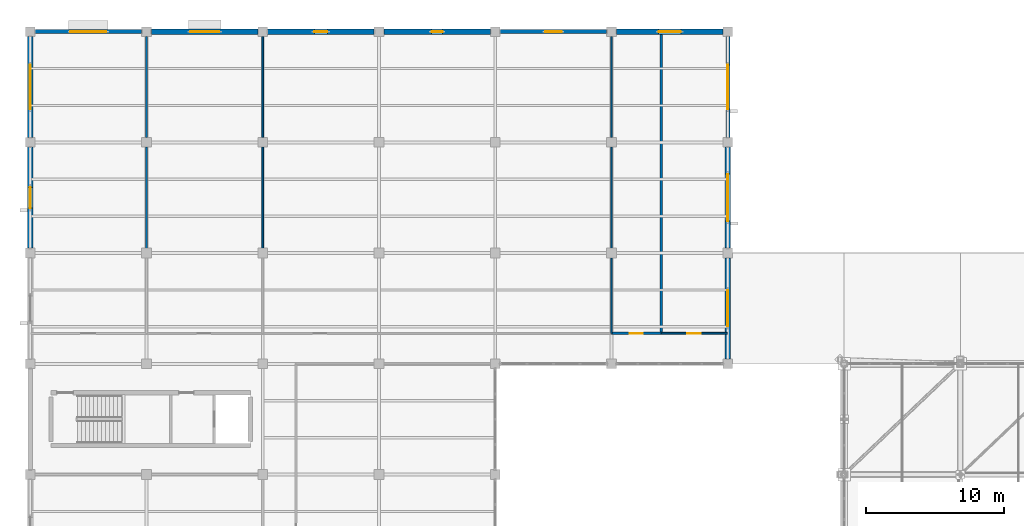
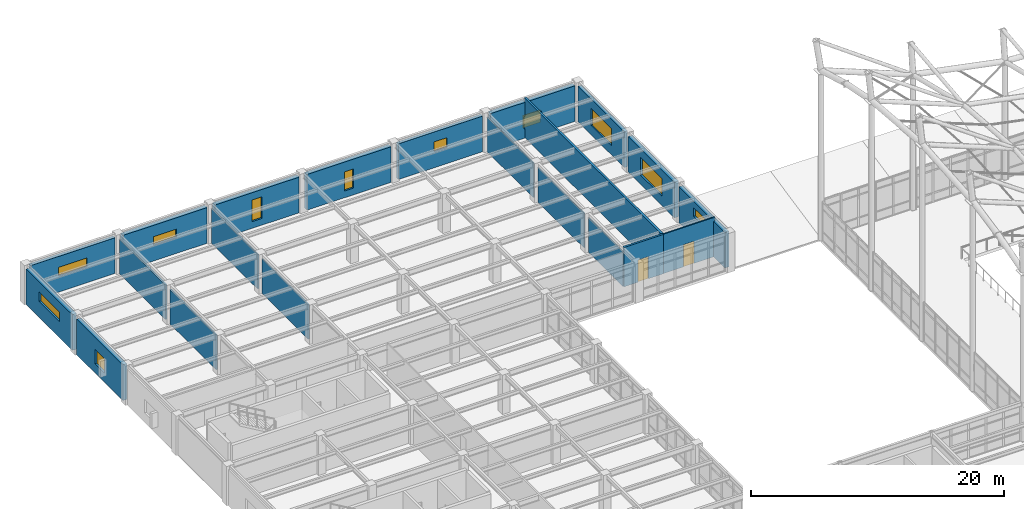
# One storey, part 75 of 138: 21 walls, 11 windows, 2 doors, 13 openings.
"""IFC4 building model written with IfcOpenShell, lengths in metres."""

import ifcopenshell
import ifcopenshell.guid

model = None  # the IFC model being written
_history = None  # IfcOwnerHistory: only IFC2X3 demands one
_inside = {}  # id of a spatial element -> (the spatial element, [elements in it])
_under = {}  # id of a project, library or spatial element -> (it, [spatial elements below it])
_declared = {}  # id of a project -> (the project, [libraries it declares])
_typed = {}  # id of a type object -> (the type object, [elements of that type])
_made_of = {}  # id of a material, layer set ... -> (it, [elements and type objects made of it])


def new_model(schema):
    """Start an empty IFC model of exactly this schema.

    Asked for "IFC4X3", IfcOpenShell would pick the latest addendum, in which some entities
    have other attributes; the version numbers below select the first issue.
    IFC2X3 requires an IfcOwnerHistory on every rooted entity: one is made here for all.
    """
    global model, _history
    if schema == "IFC4X3":
        model = ifcopenshell.file(schema_version=(4, 3, 0, 0))
    else:
        model = ifcopenshell.file(schema=schema)
    _inside.clear()
    _under.clear()
    _declared.clear()
    _typed.clear()
    _made_of.clear()
    _history = None
    if model.schema == "IFC2X3":
        org = make("IfcOrganization", Name="unknown")
        user = make(
            "IfcPersonAndOrganization",
            ThePerson=make("IfcPerson", FamilyName="unknown"),
            TheOrganization=org,
        )
        app = make(
            "IfcApplication",
            ApplicationDeveloper=org,
            Version="unknown",
            ApplicationFullName="unknown",
            ApplicationIdentifier="unknown",
        )
        _history = make(
            "IfcOwnerHistory",
            OwningUser=user,
            OwningApplication=app,
            ChangeAction="ADDED",
            CreationDate=0,
        )
    return model


def make(cls, **values):
    """One entity of the class cls with the attributes given. An attribute that is None is left unset."""
    return model.create_entity(
        cls, **{name: value for name, value in values.items() if value is not None}
    )


def rooted(cls, **values):
    """An entity with a GlobalId (a new one), such as an element, a storey or a relation."""
    return make(cls, GlobalId=ifcopenshell.guid.new(), OwnerHistory=_history, **values)


def si_unit(unit_type, name, prefix=None):
    """IfcSIUnit, for example si_unit("LENGTHUNIT", "METRE", prefix="MILLI")."""
    return make("IfcSIUnit", UnitType=unit_type, Prefix=prefix, Name=name)


def assignment(units):
    """IfcUnitAssignment: the units of a project."""
    return None if units is None else make("IfcUnitAssignment", Units=units)


def point(xyz):
    """IfcCartesianPoint."""
    return None if xyz is None else make("IfcCartesianPoint", Coordinates=xyz)


def direction(xyz):
    """IfcDirection."""
    return None if xyz is None else make("IfcDirection", DirectionRatios=xyz)


def frame(location, z_axis=None, x_axis=None):
    """IfcAxis2Placement3D, a coordinate frame: its origin and axes. An axis left out is left unset."""
    return make(
        "IfcAxis2Placement3D",
        Location=point(location),
        Axis=direction(z_axis),
        RefDirection=direction(x_axis),
    )


def frame_2d(location, x_axis=None):
    """IfcAxis2Placement2D, a coordinate frame in the plane: its origin and x axis."""
    return make(
        "IfcAxis2Placement2D", Location=point(location), RefDirection=direction(x_axis)
    )


def origin():
    """The frame at (0, 0, 0) with its axes left unset."""
    return frame((0.0, 0.0, 0.0))


def place(relative_to, where):
    """IfcLocalPlacement: puts the frame where relative to a parent placement (None: the world)."""
    return make(
        "IfcLocalPlacement", PlacementRelTo=relative_to, RelativePlacement=where
    )


def context(
    kind, dimensions, precision=None, world=None, true_north=None, identifier=None
):
    """IfcGeometricRepresentationContext, for example the 3D "Model" context."""
    return make(
        "IfcGeometricRepresentationContext",
        ContextIdentifier=identifier,
        ContextType=kind,
        CoordinateSpaceDimension=dimensions,
        Precision=precision,
        WorldCoordinateSystem=world,
        TrueNorth=true_north,
    )


def subcontext(parent, identifier, kind, view, scale=None):
    """IfcGeometricRepresentationSubContext, for example "Body" below "Model"."""
    return make(
        "IfcGeometricRepresentationSubContext",
        ContextIdentifier=identifier,
        ContextType=kind,
        ParentContext=parent,
        TargetScale=scale,
        TargetView=view,
    )


def project(units=None, contexts=None):
    """IfcProject with its units and contexts."""
    return rooted(
        "IfcProject",
        Name="project",
        RepresentationContexts=contexts,
        UnitsInContext=assignment(units),
    )


def spatial(cls, under=None, at=None, **own):
    """A site, building, storey or space (cls), placed at a placement, below another one or the project."""
    s = rooted(cls, ObjectPlacement=at, **own)
    if under is not None:
        _under.setdefault(under.id(), (under, []))[1].append(s)
    return s


def profile(cls, at=None, kind="AREA", **sizes):
    """A parametric profile (cls). Its sizes go by their IFC names, for example OverallWidth=200.0."""
    return make(cls, ProfileType=kind, Position=at, **sizes)


def rectangle(**sizes):
    """IfcRectangleProfileDef."""
    return profile("IfcRectangleProfileDef", **sizes)


def extrude(swept, where, along, depth):
    """IfcExtrudedAreaSolid: the profile swept, set in the frame where, extruded along a direction by depth."""
    return make(
        "IfcExtrudedAreaSolid",
        SweptArea=swept,
        Position=where,
        ExtrudedDirection=direction(along),
        Depth=depth,
    )


def shape(context_of_items, identifier, shape_type, items):
    """IfcShapeRepresentation: the items that make up one representation, for example the "Body"."""
    return make(
        "IfcShapeRepresentation",
        ContextOfItems=context_of_items,
        RepresentationIdentifier=identifier,
        RepresentationType=shape_type,
        Items=items,
    )


def material(Name=None, Category=None):
    """IfcMaterial."""
    return make("IfcMaterial", Name=Name, Category=Category)


def layer(
    of_material, thickness, ventilated=None, Name=None, Category=None, Priority=None
):
    """IfcMaterialLayer: one layer of a wall or slab, of a material (None: an air gap)."""
    return make(
        "IfcMaterialLayer",
        Material=of_material,
        LayerThickness=thickness,
        IsVentilated=ventilated,
        Name=Name,
        Category=Category,
        Priority=Priority,
    )


def layer_set(layers, Name=None):
    """IfcMaterialLayerSet."""
    return make("IfcMaterialLayerSet", MaterialLayers=layers, LayerSetName=Name)


def made_of(thing, what):
    """Note that an element or type object is made of a material, layer set ...; save() writes the relation."""
    if what is not None:
        _made_of.setdefault(what.id(), (what, []))[1].append(thing)
    return thing


def type_object(cls, material=None, **own):
    """A type object (cls), such as IfcWallType, which elements share."""
    return made_of(rooted(cls, **own), material)


def element(
    cls,
    number,
    at=None,
    inside=None,
    cuts=None,
    type_object=None,
    material=None,
    context=None,
    identifier="Body",
    shape_type=None,
    held_by="IfcProductDefinitionShape",
    body=None,
    shapes=None,
    **own,
):
    """One element of the class cls, such as IfcWall. Its Tag is "e" and its number.

    at: its placement. inside: the storey or other place that contains it. cuts: it is an
    opening in that element (IfcRelVoidsElement). A single representation is given by context,
    identifier, shape_type and body (its items); several are given by shapes. held_by: the class
    of the entity that holds the representations. save() writes the other relations.
    """
    e = rooted(cls, Tag="e%d" % number, ObjectPlacement=at, **own)
    if body is not None:
        shapes = [shape(context, identifier, shape_type, body)]
    if shapes is not None:
        e.Representation = make(held_by, Representations=shapes)
    if inside is not None:
        _inside.setdefault(inside.id(), (inside, []))[1].append(e)
    if cuts is not None:
        rooted(
            "IfcRelVoidsElement", RelatingBuildingElement=cuts, RelatedOpeningElement=e
        )
    if type_object is not None:
        _typed.setdefault(type_object.id(), (type_object, []))[1].append(e)
    return made_of(e, material)


def fill(opening, filler):
    """IfcRelFillsElement: the door or window that sits in an opening."""
    return rooted(
        "IfcRelFillsElement",
        RelatingOpeningElement=opening,
        RelatedBuildingElement=filler,
    )


def aggregate(whole, parts):
    """IfcRelAggregates: a whole, such as a stair, and the parts it consists of."""
    return rooted("IfcRelAggregates", RelatingObject=whole, RelatedObjects=parts)


def save(model, path):
    """Write the relations noted so far, then the file.

    IfcRelAggregates (storeys below a building ...), IfcRelContainedInSpatialStructure (elements
    in a storey), IfcRelDefinesByType, IfcRelAssociatesMaterial and IfcRelDeclares: one each for
    every whole, place, type object, material and project.
    """
    for whole, parts in _under.values():
        aggregate(whole, parts)
    for where, things in _inside.values():
        rooted(
            "IfcRelContainedInSpatialStructure",
            RelatedElements=things,
            RelatingStructure=where,
        )
    for kind, things in _typed.values():
        rooted("IfcRelDefinesByType", RelatedObjects=things, RelatingType=kind)
    for what, things in _made_of.values():
        rooted("IfcRelAssociatesMaterial", RelatedObjects=things, RelatingMaterial=what)
    for by, libraries in _declared.values():
        rooted("IfcRelDeclares", RelatingContext=by, RelatedDefinitions=libraries)
    model.write(path)


model = new_model("IFC4")

# Units and contexts
model_context = context("Model", 3, precision=1e-05, world=origin(), true_north=direction((0.0, 1.0)))
body_context = subcontext(model_context, "Body", "Model", "MODEL_VIEW")
ifc_project = project(units=[si_unit("LENGTHUNIT", "METRE"), si_unit("AREAUNIT", "SQUARE_METRE"), si_unit("VOLUMEUNIT", "CUBIC_METRE"), si_unit("PLANEANGLEUNIT", "RADIAN"), si_unit("MASSUNIT", "GRAM", prefix="KILO")], contexts=[model_context])

# Site, building, storey
site_placement = place(None, origin())
site = spatial("IfcSite", under=ifc_project, at=site_placement, CompositionType="ELEMENT")
building_placement = place(site_placement, origin())
building = spatial("IfcBuilding", under=site, at=building_placement, Name="Kranzveld Transit Interchange", CompositionType="ELEMENT")
storey_placement = place(building_placement, frame((0.0, 0.0, 5.43994140625)))
storey = spatial("IfcBuildingStorey", under=building, at=storey_placement, Name="L01", CompositionType="ELEMENT", Elevation=5.43994140625)

# Wall, opening, window
ifc_material_1 = material(Name="Pretoria red-purple clinker clay face brick, 35 MPa", Category="masonry")
ifc_layer_1 = layer(ifc_material_1, 0.3798828125)
ifc_layer_set_1 = layer_set([ifc_layer_1], Name="Pretoria red-purple clinker clay face brick, 35 MPa")
wall_type_1 = type_object("IfcWallType", Name="Exterior Cavity Wall Red Clinker 380", PredefinedType="SOLIDWALL", material=ifc_layer_set_1)
wall_1_placement = place(storey_placement, frame((0.0, 96.35009765625, 0.0), z_axis=(0.0, 0.0, 1.0), x_axis=(0.0, 1.0, 0.0)))
wall_1 = element("IfcWall", 1, at=wall_1_placement, inside=storey, type_object=wall_type_1, Name="L01 Clinker Facade Wall 01/N-01/P", PredefinedType="SOLIDWALL", context=body_context, shape_type="SweptSolid", body=[
    extrude(rectangle(XDim=7.2998046875, YDim=0.3798828125, at=frame_2d((3.64990234375, 0.0))), origin(), (0.0, 0.0, 1.0), 3.442138671875),
])
opening_1_placement = place(wall_1_placement, frame((2.89990234375, 0.0, 0.89990234375), z_axis=(0.0, 0.0, 1.0), x_axis=(1.0, 0.0, 0.0)))
opening_1 = element("IfcOpeningElement", 2, at=opening_1_placement, cuts=wall_1, Name="Opening W-13", PredefinedType="OPENING", context=body_context, shape_type="SweptSolid", body=[
    extrude(rectangle(XDim=1.5, YDim=1.39990234375, at=frame_2d((0.75, 0.699951171875))), frame((0.0, 0.199951171875, 0.0), z_axis=(0.0, -1.0, 0.0), x_axis=(1.0, 0.0, 0.0)), (0.0, 0.0, 1.0), 0.39990234375),
])
ifc_material_2 = material(Name="Solar-control double glazing", Category="glass")
window_type_1 = type_object("IfcWindowType", Name="Window Studio Single 1500x1400", PartitioningType="SINGLE_PANEL", PredefinedType="WINDOW", material=ifc_material_2)
window_1_placement = place(opening_1_placement, origin())
window_1 = element("IfcWindow", 3, at=window_1_placement, inside=storey, type_object=window_type_1, Name="L01 Facade Window 01/N", OverallHeight=1.39990234375, OverallWidth=1.5, PartitioningType="SINGLE_PANEL", PredefinedType="WINDOW", context=body_context, shape_type="SweptSolid", body=[
    extrude(rectangle(XDim=1.5, YDim=1.39990234375, at=frame_2d((0.75, 0.699951171875))), frame((0.0, 0.030029296875, 0.0), z_axis=(0.0, -1.0, 0.0), x_axis=(1.0, 0.0, 0.0)), (0.0, 0.0, 1.0), 0.06005859375),
])
fill(opening_1, window_1)

wall_2_placement = place(storey_placement, frame((0.0, 104.35009765625, 0.0), z_axis=(0.0, 0.0, 1.0), x_axis=(0.0, 1.0, 0.0)))
wall_2 = element("IfcWall", 4, at=wall_2_placement, inside=storey, type_object=wall_type_1, Name="L01 Clinker Facade Wall 01/P-01/Q", PredefinedType="SOLIDWALL", context=body_context, shape_type="SweptSolid", body=[
    extrude(rectangle(XDim=7.2998046875, YDim=0.3798828125, at=frame_2d((3.64990234375, 0.0))), origin(), (0.0, 0.0, 1.0), 3.442138671875),
])
opening_2_placement = place(wall_2_placement, frame((2.050048828125, 0.0, 1.550048828125), z_axis=(0.0, 0.0, 1.0), x_axis=(1.0, 0.0, 0.0)))
opening_2 = element("IfcOpeningElement", 5, at=opening_2_placement, cuts=wall_2, Name="Opening W-14", PredefinedType="OPENING", context=body_context, shape_type="SweptSolid", body=[
    extrude(rectangle(XDim=3.199951171875, YDim=0.89990234375, at=frame_2d((1.60009765625, 0.449951171875))), frame((0.0, 0.199951171875, 0.0), z_axis=(0.0, -1.0, 0.0), x_axis=(1.0, 0.0, 0.0)), (0.0, 0.0, 1.0), 0.39990234375),
])
ifc_material_3 = material(Name="Solar-control double glazing", Category="glass")
window_type_2 = type_object("IfcWindowType", Name="Window Clerestory 3200x900", PartitioningType="TRIPLE_PANEL_HORIZONTAL", PredefinedType="WINDOW", material=ifc_material_3)
window_2_placement = place(opening_2_placement, origin())
window_2 = element("IfcWindow", 6, at=window_2_placement, inside=storey, type_object=window_type_2, Name="L01 Facade Window 01/P", OverallHeight=0.89990234375, OverallWidth=3.199951171875, PartitioningType="TRIPLE_PANEL_HORIZONTAL", PredefinedType="WINDOW", context=body_context, shape_type="SweptSolid", body=[
    extrude(rectangle(XDim=3.199951171875, YDim=0.89990234375, at=frame_2d((1.60009765625, 0.449951171875))), frame((0.0, 0.030029296875, 0.0), z_axis=(0.0, -1.0, 0.0), x_axis=(1.0, 0.0, 0.0)), (0.0, 0.0, 1.0), 0.06005859375),
])
fill(opening_2, window_2)

wall_3_placement = place(storey_placement, frame((8.75, 112.0, 0.0), z_axis=(0.0, 0.0, 1.0), x_axis=(1.0, 0.0, 0.0)))
wall_3 = element("IfcWall", 7, at=wall_3_placement, inside=storey, type_object=wall_type_1, Name="L01 Clinker Facade Wall 02/Q-03/Q", PredefinedType="SOLIDWALL", context=body_context, shape_type="SweptSolid", body=[
    extrude(rectangle(XDim=7.699951171875, YDim=0.3798828125, at=frame_2d((3.85009765625, 0.0))), origin(), (0.0, 0.0, 1.0), 3.449951171875),
])
opening_3_placement = place(wall_3_placement, frame((2.800048828125, 0.0, 1.550048828125), z_axis=(0.0, 0.0, 1.0), x_axis=(1.0, 0.0, 0.0)))
opening_3 = element("IfcOpeningElement", 8, at=opening_3_placement, cuts=wall_3, Name="Opening W-16", PredefinedType="OPENING", context=body_context, shape_type="SweptSolid", body=[
    extrude(rectangle(XDim=2.10009765625, YDim=0.800048828125, at=frame_2d((1.050048828125, 0.39990234375))), frame((0.0, 0.199951171875, 0.0), z_axis=(0.0, -1.0, 0.0), x_axis=(1.0, 0.0, 0.0)), (0.0, 0.0, 1.0), 0.39990234375),
])
ifc_material_4 = material(Name="Solar-control double glazing", Category="glass")
window_type_3 = type_object("IfcWindowType", Name="Window Clerestory 2100x800", PartitioningType="DOUBLE_PANEL_HORIZONTAL", PredefinedType="WINDOW", material=ifc_material_4)
window_3_placement = place(opening_3_placement, origin())
window_3 = element("IfcWindow", 9, at=window_3_placement, inside=storey, type_object=window_type_3, Name="L01 Facade Window 02/Q", OverallHeight=0.800048828125, OverallWidth=2.10009765625, PartitioningType="DOUBLE_PANEL_HORIZONTAL", PredefinedType="WINDOW", context=body_context, shape_type="SweptSolid", body=[
    extrude(rectangle(XDim=2.10009765625, YDim=0.800048828125, at=frame_2d((1.050048828125, 0.39990234375))), frame((0.0, 0.030029296875, 0.0), z_axis=(0.0, -1.0, 0.0), x_axis=(1.0, 0.0, 0.0)), (0.0, 0.0, 1.0), 0.06005859375),
])
fill(opening_3, window_3)

wall_4_placement = place(storey_placement, frame((17.14990234375, 112.0, 0.0), z_axis=(0.0, 0.0, 1.0), x_axis=(1.0, 0.0, 0.0)))
wall_4 = element("IfcWall", 10, at=wall_4_placement, inside=storey, type_object=wall_type_1, Name="L01 Clinker Facade Wall 03/Q-04/Q", PredefinedType="SOLIDWALL", context=body_context, shape_type="SweptSolid", body=[
    extrude(rectangle(XDim=7.7001953125, YDim=0.3798828125, at=frame_2d((3.85009765625, 0.0))), origin(), (0.0, 0.0, 1.0), 3.449951171875),
])
opening_4_placement = place(wall_4_placement, frame((3.375, 0.0, 0.64990234375), z_axis=(0.0, 0.0, 1.0), x_axis=(1.0, 0.0, 0.0)))
opening_4 = element("IfcOpeningElement", 11, at=opening_4_placement, cuts=wall_4, Name="Opening W-17", PredefinedType="OPENING", context=body_context, shape_type="SweptSolid", body=[
    extrude(rectangle(XDim=0.949951171875, YDim=2.10009765625, at=frame_2d((0.47509765625, 1.050048828125))), frame((0.0, 0.199951171875, 0.0), z_axis=(0.0, -1.0, 0.0), x_axis=(1.0, 0.0, 0.0)), (0.0, 0.0, 1.0), 0.39990234375),
])
ifc_material_5 = material(Name="Solar-control double glazing", Category="glass")
window_type_4 = type_object("IfcWindowType", Name="Window Ladder Slot 950x2100", PartitioningType="SINGLE_PANEL", PredefinedType="WINDOW", material=ifc_material_5)
window_4_placement = place(opening_4_placement, origin())
window_4 = element("IfcWindow", 12, at=window_4_placement, inside=storey, type_object=window_type_4, Name="L01 Facade Window 03/Q", OverallHeight=2.10009765625, OverallWidth=0.949951171875, PartitioningType="SINGLE_PANEL", PredefinedType="WINDOW", context=body_context, shape_type="SweptSolid", body=[
    extrude(rectangle(XDim=0.949951171875, YDim=2.10009765625, at=frame_2d((0.47509765625, 1.050048828125))), frame((0.0, 0.030029296875, 0.0), z_axis=(0.0, -1.0, 0.0), x_axis=(1.0, 0.0, 0.0)), (0.0, 0.0, 1.0), 0.06005859375),
])
fill(opening_4, window_4)

wall_5_placement = place(storey_placement, frame((25.550048828125, 112.0, 0.0), z_axis=(0.0, 0.0, 1.0), x_axis=(1.0, 0.0, 0.0)))
wall_5 = element("IfcWall", 13, at=wall_5_placement, inside=storey, type_object=wall_type_1, Name="L01 Clinker Facade Wall 04/Q-05/Q", PredefinedType="SOLIDWALL", context=body_context, shape_type="SweptSolid", body=[
    extrude(rectangle(XDim=7.699951171875, YDim=0.3798828125, at=frame_2d((3.85009765625, 0.0))), origin(), (0.0, 0.0, 1.0), 3.449951171875),
])
opening_5_placement = place(wall_5_placement, frame((3.449951171875, 0.0, 0.64990234375), z_axis=(0.0, 0.0, 1.0), x_axis=(1.0, 0.0, 0.0)))
opening_5 = element("IfcOpeningElement", 14, at=opening_5_placement, cuts=wall_5, Name="Opening W-18", PredefinedType="OPENING", context=body_context, shape_type="SweptSolid", body=[
    extrude(rectangle(XDim=0.800048828125, YDim=1.85009765625, at=frame_2d((0.39990234375, 0.925048828125))), frame((0.0, 0.199951171875, 0.0), z_axis=(0.0, -1.0, 0.0), x_axis=(1.0, 0.0, 0.0)), (0.0, 0.0, 1.0), 0.39990234375),
])
ifc_material_6 = material(Name="Solar-control double glazing", Category="glass")
window_type_5 = type_object("IfcWindowType", Name="Window Ladder Slot 800x1850", PartitioningType="SINGLE_PANEL", PredefinedType="WINDOW", material=ifc_material_6)
window_5_placement = place(opening_5_placement, origin())
window_5 = element("IfcWindow", 15, at=window_5_placement, inside=storey, type_object=window_type_5, Name="L01 Facade Window 04/Q", OverallHeight=1.85009765625, OverallWidth=0.800048828125, PartitioningType="SINGLE_PANEL", PredefinedType="WINDOW", context=body_context, shape_type="SweptSolid", body=[
    extrude(rectangle(XDim=0.800048828125, YDim=1.85009765625, at=frame_2d((0.39990234375, 0.925048828125))), frame((0.0, 0.030029296875, 0.0), z_axis=(0.0, -1.0, 0.0), x_axis=(1.0, 0.0, 0.0)), (0.0, 0.0, 1.0), 0.06005859375),
])
fill(opening_5, window_5)

wall_6_placement = place(storey_placement, frame((42.35009765625, 112.0, 0.0), z_axis=(0.0, 0.0, 1.0), x_axis=(1.0, 0.0, 0.0)))
wall_6 = element("IfcWall", 16, at=wall_6_placement, inside=storey, type_object=wall_type_1, Name="L01 Clinker Facade Wall 06/Q-07/Q", PredefinedType="SOLIDWALL", context=body_context, shape_type="SweptSolid", body=[
    extrude(rectangle(XDim=7.699951171875, YDim=0.3798828125, at=frame_2d((3.85009765625, 0.0))), origin(), (0.0, 0.0, 1.0), 3.449951171875),
])
opening_6_placement = place(wall_6_placement, frame((3.050048828125, 0.0, 0.89990234375), z_axis=(0.0, 0.0, 1.0), x_axis=(1.0, 0.0, 0.0)))
opening_6 = element("IfcOpeningElement", 17, at=opening_6_placement, cuts=wall_6, Name="Opening W-20", PredefinedType="OPENING", context=body_context, shape_type="SweptSolid", body=[
    extrude(rectangle(XDim=1.60009765625, YDim=1.199951171875, at=frame_2d((0.800048828125, 0.60009765625))), frame((0.0, 0.199951171875, 0.0), z_axis=(0.0, -1.0, 0.0), x_axis=(1.0, 0.0, 0.0)), (0.0, 0.0, 1.0), 0.39990234375),
])
ifc_material_7 = material(Name="Solar-control double glazing", Category="glass")
window_type_6 = type_object("IfcWindowType", Name="Window Technical Glazed 1600x1200", PartitioningType="DOUBLE_PANEL_VERTICAL", PredefinedType="WINDOW", material=ifc_material_7)
window_6_placement = place(opening_6_placement, origin())
window_6 = element("IfcWindow", 18, at=window_6_placement, inside=storey, type_object=window_type_6, Name="L01 Facade Window 06/Q", OverallHeight=1.199951171875, OverallWidth=1.60009765625, PartitioningType="DOUBLE_PANEL_VERTICAL", PredefinedType="WINDOW", context=body_context, shape_type="SweptSolid", body=[
    extrude(rectangle(XDim=1.60009765625, YDim=1.199951171875, at=frame_2d((0.800048828125, 0.60009765625))), frame((0.0, 0.030029296875, 0.0), z_axis=(0.0, -1.0, 0.0), x_axis=(1.0, 0.0, 0.0)), (0.0, 0.0, 1.0), 0.06005859375),
])
fill(opening_6, window_6)

wall_7_placement = place(storey_placement, frame((50.39990234375, 88.35009765625, 0.0), z_axis=(0.0, 0.0, 1.0), x_axis=(0.0, 1.0, 0.0)))
wall_7 = element("IfcWall", 19, at=wall_7_placement, inside=storey, type_object=wall_type_1, Name="L01 Clinker Facade Wall 07/M-07/N", PredefinedType="SOLIDWALL", context=body_context, shape_type="SweptSolid", body=[
    extrude(rectangle(XDim=7.2998046875, YDim=0.3798828125, at=frame_2d((3.64990234375, 0.0))), origin(), (0.0, 0.0, 1.0), 3.442138671875),
])
opening_7_placement = place(wall_7_placement, frame((2.35009765625, 0.0, 2.0), z_axis=(0.0, 0.0, 1.0), x_axis=(1.0, 0.0, 0.0)))
opening_7 = element("IfcOpeningElement", 20, at=opening_7_placement, cuts=wall_7, Name="Opening W-15", PredefinedType="OPENING", context=body_context, shape_type="SweptSolid", body=[
    extrude(rectangle(XDim=2.60009765625, YDim=0.85009765625, at=frame_2d((1.300048828125, 0.425048828125))), frame((0.0, 0.199951171875, 0.0), z_axis=(0.0, -1.0, 0.0), x_axis=(1.0, 0.0, 0.0)), (0.0, 0.0, 1.0), 0.39990234375),
])
ifc_material_8 = material(Name="Solar-control double glazing", Category="glass")
window_type_7 = type_object("IfcWindowType", Name="Window Clerestory 2600x850", PartitioningType="DOUBLE_PANEL_HORIZONTAL", PredefinedType="WINDOW", material=ifc_material_8)
window_7_placement = place(opening_7_placement, origin())
window_7 = element("IfcWindow", 21, at=window_7_placement, inside=storey, type_object=window_type_7, Name="L01 Facade Window 07/M", OverallHeight=0.85009765625, OverallWidth=2.60009765625, PartitioningType="DOUBLE_PANEL_HORIZONTAL", PredefinedType="WINDOW", context=body_context, shape_type="SweptSolid", body=[
    extrude(rectangle(XDim=2.60009765625, YDim=0.85009765625, at=frame_2d((1.300048828125, 0.425048828125))), frame((0.0, 0.030029296875, 0.0), z_axis=(0.0, -1.0, 0.0), x_axis=(1.0, 0.0, 0.0)), (0.0, 0.0, 1.0), 0.06005859375),
])
fill(opening_7, window_7)

wall_8_placement = place(storey_placement, frame((50.39990234375, 96.35009765625, 0.0), z_axis=(0.0, 0.0, 1.0), x_axis=(0.0, 1.0, 0.0)))
wall_8 = element("IfcWall", 22, at=wall_8_placement, inside=storey, type_object=wall_type_1, Name="L01 Clinker Facade Wall 07/N-07/P", PredefinedType="SOLIDWALL", context=body_context, shape_type="SweptSolid", body=[
    extrude(rectangle(XDim=7.2998046875, YDim=0.3798828125, at=frame_2d((3.64990234375, 0.0))), origin(), (0.0, 0.0, 1.0), 3.442138671875),
])
opening_8_placement = place(wall_8_placement, frame((1.949951171875, 0.0, 0.89990234375), z_axis=(0.0, 0.0, 1.0), x_axis=(1.0, 0.0, 0.0)))
opening_8 = element("IfcOpeningElement", 23, at=opening_8_placement, cuts=wall_8, Name="Opening W-02", PredefinedType="OPENING", context=body_context, shape_type="SweptSolid", body=[
    extrude(rectangle(XDim=3.39990234375, YDim=1.699951171875, at=frame_2d((1.699951171875, 0.85009765625))), frame((0.0, 0.199951171875, 0.0), z_axis=(0.0, -1.0, 0.0), x_axis=(1.0, 0.0, 0.0)), (0.0, 0.0, 1.0), 0.39990234375),
])
ifc_material_9 = material(Name="Solar-control double glazing", Category="glass")
window_type_8 = type_object("IfcWindowType", Name="Window Ribbon Triple 3400x1700", PartitioningType="TRIPLE_PANEL_VERTICAL", PredefinedType="WINDOW", material=ifc_material_9)
window_8_placement = place(opening_8_placement, origin())
window_8 = element("IfcWindow", 24, at=window_8_placement, inside=storey, type_object=window_type_8, Name="L01 Facade Window 07/N", OverallHeight=1.699951171875, OverallWidth=3.39990234375, PartitioningType="TRIPLE_PANEL_VERTICAL", PredefinedType="WINDOW", context=body_context, shape_type="SweptSolid", body=[
    extrude(rectangle(XDim=3.39990234375, YDim=1.699951171875, at=frame_2d((1.699951171875, 0.85009765625))), frame((0.0, 0.030029296875, 0.0), z_axis=(0.0, -1.0, 0.0), x_axis=(1.0, 0.0, 0.0)), (0.0, 0.0, 1.0), 0.06005859375),
])
fill(opening_8, window_8)

ifc_material_10 = material(Name="Ochre Pretoria sandstone cladding, 45 MPa", Category="masonry")
ifc_layer_2 = layer(ifc_material_10, 0.300048828125)
ifc_layer_set_2 = layer_set([ifc_layer_2], Name="Ochre Pretoria sandstone cladding, 45 MPa")
wall_type_2 = type_object("IfcWallType", Name="Exterior Sandstone Spandrel Wall 300", PredefinedType="SOLIDWALL", material=ifc_layer_set_2)
wall_9_placement = place(storey_placement, frame((0.35009765625, 112.0, 0.0), z_axis=(0.0, 0.0, 1.0), x_axis=(1.0, 0.0, 0.0)))
wall_9 = element("IfcWall", 25, at=wall_9_placement, inside=storey, type_object=wall_type_2, Name="L01 Clinker Facade Wall 01/Q-02/Q", PredefinedType="SOLIDWALL", context=body_context, shape_type="SweptSolid", body=[
    extrude(rectangle(XDim=7.699951171875, YDim=0.300048828125, at=frame_2d((3.85009765625, 0.0))), origin(), (0.0, 0.0, 1.0), 3.449951171875),
])
opening_9_placement = place(wall_9_placement, frame((2.550048828125, 0.0, 1.550048828125), z_axis=(0.0, 0.0, 1.0), x_axis=(1.0, 0.0, 0.0)))
opening_9 = element("IfcOpeningElement", 26, at=opening_9_placement, cuts=wall_9, Name="Opening W-15", PredefinedType="OPENING", context=body_context, shape_type="SweptSolid", body=[
    extrude(rectangle(XDim=2.60009765625, YDim=0.85009765625, at=frame_2d((1.300048828125, 0.425048828125))), frame((0.0, 0.159912109375, 0.0), z_axis=(0.0, -1.0, 0.0), x_axis=(1.0, 0.0, 0.0)), (0.0, 0.0, 1.0), 0.320068359375),
])
window_9_placement = place(opening_9_placement, origin())
window_9 = element("IfcWindow", 27, at=window_9_placement, inside=storey, type_object=window_type_7, Name="L01 Facade Window 01/Q", OverallHeight=0.85009765625, OverallWidth=2.60009765625, PartitioningType="DOUBLE_PANEL_HORIZONTAL", PredefinedType="WINDOW", context=body_context, shape_type="SweptSolid", body=[
    extrude(rectangle(XDim=2.60009765625, YDim=0.85009765625, at=frame_2d((1.300048828125, 0.425048828125))), frame((0.0, 0.030029296875, 0.0), z_axis=(0.0, -1.0, 0.0), x_axis=(1.0, 0.0, 0.0)), (0.0, 0.0, 1.0), 0.06005859375),
])
fill(opening_9, window_9)

wall_10_placement = place(storey_placement, frame((33.949951171875, 112.0, 0.0), z_axis=(0.0, 0.0, 1.0), x_axis=(1.0, 0.0, 0.0)))
wall_10 = element("IfcWall", 28, at=wall_10_placement, inside=storey, type_object=wall_type_2, Name="L01 Clinker Facade Wall 05/Q-06/Q", PredefinedType="SOLIDWALL", context=body_context, shape_type="SweptSolid", body=[
    extrude(rectangle(XDim=7.699951171875, YDim=0.300048828125, at=frame_2d((3.85009765625, 0.0))), origin(), (0.0, 0.0, 1.0), 3.449951171875),
])
opening_10_placement = place(wall_10_placement, frame((3.25, 0.0, 1.550048828125), z_axis=(0.0, 0.0, 1.0), x_axis=(1.0, 0.0, 0.0)))
opening_10 = element("IfcOpeningElement", 29, at=opening_10_placement, cuts=wall_10, Name="Opening W-19", PredefinedType="OPENING", context=body_context, shape_type="SweptSolid", body=[
    extrude(rectangle(XDim=1.199951171875, YDim=0.949951171875, at=frame_2d((0.60009765625, 0.47509765625))), frame((0.0, 0.159912109375, 0.0), z_axis=(0.0, -1.0, 0.0), x_axis=(1.0, 0.0, 0.0)), (0.0, 0.0, 1.0), 0.320068359375),
])
ifc_material_11 = material(Name="Solar-control double glazing", Category="glass")
window_type_9 = type_object("IfcWindowType", Name="Window Sanitary Frosted 1200x950", PartitioningType="SINGLE_PANEL", PredefinedType="WINDOW", material=ifc_material_11)
window_10_placement = place(opening_10_placement, origin())
window_10 = element("IfcWindow", 30, at=window_10_placement, inside=storey, type_object=window_type_9, Name="L01 Facade Window 05/Q", OverallHeight=0.949951171875, OverallWidth=1.199951171875, PartitioningType="SINGLE_PANEL", PredefinedType="WINDOW", context=body_context, shape_type="SweptSolid", body=[
    extrude(rectangle(XDim=1.199951171875, YDim=0.949951171875, at=frame_2d((0.60009765625, 0.47509765625))), frame((0.0, 0.030029296875, 0.0), z_axis=(0.0, -1.0, 0.0), x_axis=(1.0, 0.0, 0.0)), (0.0, 0.0, 1.0), 0.06005859375),
])
fill(opening_10, window_10)

wall_11_placement = place(storey_placement, frame((50.39990234375, 104.35009765625, 0.0), z_axis=(0.0, 0.0, 1.0), x_axis=(0.0, 1.0, 0.0)))
wall_11 = element("IfcWall", 31, at=wall_11_placement, inside=storey, type_object=wall_type_2, Name="L01 Clinker Facade Wall 07/P-07/Q", PredefinedType="SOLIDWALL", context=body_context, shape_type="SweptSolid", body=[
    extrude(rectangle(XDim=7.2998046875, YDim=0.300048828125, at=frame_2d((3.64990234375, 0.0))), origin(), (0.0, 0.0, 1.0), 3.442138671875),
])
opening_11_placement = place(wall_11_placement, frame((2.050048828125, 0.0, 0.89990234375), z_axis=(0.0, 0.0, 1.0), x_axis=(1.0, 0.0, 0.0)))
opening_11 = element("IfcOpeningElement", 32, at=opening_11_placement, cuts=wall_11, Name="Opening W-03", PredefinedType="OPENING", context=body_context, shape_type="SweptSolid", body=[
    extrude(rectangle(XDim=3.199951171875, YDim=1.64990234375, at=frame_2d((1.60009765625, 0.824951171875))), frame((0.0, 0.159912109375, 0.0), z_axis=(0.0, -1.0, 0.0), x_axis=(1.0, 0.0, 0.0)), (0.0, 0.0, 1.0), 0.320068359375),
])
ifc_material_12 = material(Name="Solar-control double glazing", Category="glass")
window_type_10 = type_object("IfcWindowType", Name="Window Ribbon Triple 3200x1650", PartitioningType="TRIPLE_PANEL_VERTICAL", PredefinedType="WINDOW", material=ifc_material_12)
window_11_placement = place(opening_11_placement, origin())
window_11 = element("IfcWindow", 33, at=window_11_placement, inside=storey, type_object=window_type_10, Name="L01 Facade Window 07/P", OverallHeight=1.64990234375, OverallWidth=3.199951171875, PartitioningType="TRIPLE_PANEL_VERTICAL", PredefinedType="WINDOW", context=body_context, shape_type="SweptSolid", body=[
    extrude(rectangle(XDim=3.199951171875, YDim=1.64990234375, at=frame_2d((1.60009765625, 0.824951171875))), frame((0.0, 0.030029296875, 0.0), z_axis=(0.0, -1.0, 0.0), x_axis=(1.0, 0.0, 0.0)), (0.0, 0.0, 1.0), 0.06005859375),
])
fill(opening_11, window_11)

# Walls
ifc_material_13 = material(Name="Clay masonry unit wall, 20 MPa", Category="masonry")
ifc_layer_3 = layer(ifc_material_13, 0.14990234375)
ifc_layer_set_3 = layer_set([ifc_layer_3], Name="Clay masonry unit wall, 20 MPa")
wall_type_3 = type_object("IfcWallType", Name="Fire Rated Partition Wall 150 EI60", PredefinedType="PARTITIONING", material=ifc_layer_set_3)
for number, where, z_axis, x_axis, name in (
    (34, (8.39990234375, 96.340087890625, 0.0), (0.0, 0.0, 1.0), (0.0, 1.0, 0.0), "L01 Partition IW-L01-L01V5N-E-127-1"),
    (35, (8.39990234375, 104.340087890625, 0.0), (0.0, 0.0, 1.0), (0.0, 1.0, 0.0), "L01 Partition IW-L01-L01V5N-E-127-2"),
):
    element("IfcWall", number, at=place(storey_placement, frame(where, z_axis=z_axis, x_axis=x_axis)), inside=storey, type_object=wall_type_3, Name=name, PredefinedType="PARTITIONING", context=body_context, shape_type="SweptSolid", body=[
        extrude(rectangle(XDim=7.31982421875, YDim=0.14990234375, at=frame_2d((3.659912109375, 0.0))), origin(), (0.0, 0.0, 1.0), 3.336669921875),
    ])

# Wall, opening, door
ifc_material_14 = material(Name="Clay masonry unit wall, 20 MPa", Category="masonry")
ifc_layer_4 = layer(ifc_material_14, 0.125)
ifc_layer_set_4 = layer_set([ifc_layer_4], Name="Clay masonry unit wall, 20 MPa")
wall_type_4 = type_object("IfcWallType", Name="Internal Blockwork Partition 125", PredefinedType="PARTITIONING", material=ifc_layer_set_4)
wall_12_placement = place(storey_placement, frame((45.60009765625, 90.199951171875, 0.0), z_axis=(0.0, 0.0, 1.0), x_axis=(1.0, 0.0, 0.0)))
wall_12 = element("IfcWall", 36, at=wall_12_placement, inside=storey, type_object=wall_type_4, Name="L01 Partition IW-L01-L01V5NWC-ADJ-138-0", PredefinedType="PARTITIONING", context=body_context, shape_type="SweptSolid", body=[
    extrude(rectangle(XDim=4.760009765625, YDim=0.125, at=frame_2d((2.3798828125, 0.0))), origin(), (0.0, 0.0, 1.0), 3.800048828125),
])
opening_12_placement = place(wall_12_placement, frame((1.8798828125, 0.0, 0.0), z_axis=(0.0, 0.0, 1.0), x_axis=(1.0, 0.0, 0.0)))
opening_12 = element("IfcOpeningElement", 37, at=opening_12_placement, cuts=wall_12, Name="Opening D-138", PredefinedType="OPENING", context=body_context, shape_type="SweptSolid", body=[
    extrude(rectangle(XDim=0.949951171875, YDim=2.14990234375, at=frame_2d((0.47509765625, 1.074951171875))), frame((0.0, 0.072509765625, 0.0), z_axis=(0.0, -1.0, 0.0), x_axis=(1.0, 0.0, 0.0)), (0.0, 0.0, 1.0), 0.14501953125),
])
ifc_material_15 = material(Name="Bronze-anodised thermally broken aluminium", Category="aluminium")
door_type_1 = type_object("IfcDoorType", Name="Internal Office Door 950x2150", OperationType="NOTDEFINED", PredefinedType="DOOR", material=ifc_material_15)
door_1_placement = place(opening_12_placement, origin())
door_1 = element("IfcDoor", 38, at=door_1_placement, inside=storey, type_object=door_type_1, Name="L01 Interior Door D-138", OperationType="SINGLE_SWING_RIGHT", OverallHeight=2.14990234375, OverallWidth=0.949951171875, PredefinedType="DOOR", context=body_context, shape_type="SweptSolid", body=[
    extrude(rectangle(XDim=0.949951171875, YDim=2.14990234375, at=frame_2d((0.47509765625, 1.074951171875))), frame((0.0, 0.02490234375, 0.0), z_axis=(0.0, -1.0, 0.0), x_axis=(1.0, 0.0, 0.0)), (0.0, 0.0, 1.0), 0.050048828125),
])
fill(opening_12, door_1)

# Walls
ifc_material_16 = material(Name="Clay masonry unit wall, 20 MPa", Category="masonry")
ifc_layer_5 = layer(ifc_material_16, 0.114990234375)
ifc_layer_set_5 = layer_set([ifc_layer_5], Name="Clay masonry unit wall, 20 MPa")
wall_type_5 = type_object("IfcWallType", Name="Internal Masonry Partition 115", PredefinedType="PARTITIONING", material=ifc_layer_set_5)
for number, where, z_axis, x_axis, name in (
    (39, (16.800048828125, 96.340087890625, 0.0), (0.0, 0.0, 1.0), (0.0, 1.0, 0.0), "L01 Partition IW-L01-L01V5N-E-128-1"),
    (40, (16.800048828125, 104.340087890625, 0.0), (0.0, 0.0, 1.0), (0.0, 1.0, 0.0), "L01 Partition IW-L01-L01V5N-E-128-2"),
):
    element("IfcWall", number, at=place(storey_placement, frame(where, z_axis=z_axis, x_axis=x_axis)), inside=storey, type_object=wall_type_5, Name=name, PredefinedType="PARTITIONING", context=body_context, shape_type="SweptSolid", body=[
        extrude(rectangle(XDim=7.31982421875, YDim=0.114990234375, at=frame_2d((3.659912109375, 0.0))), origin(), (0.0, 0.0, 1.0), 3.336669921875),
    ])
ifc_material_17 = material(Name="Clay masonry unit wall, 20 MPa", Category="masonry")
ifc_layer_6 = layer(ifc_material_17, 0.10009765625)
ifc_layer_set_6 = layer_set([ifc_layer_6], Name="Clay masonry unit wall, 20 MPa")
wall_type_6 = type_object("IfcWallType", Name="Lightweight Drywall Partition 100", PredefinedType="PARTITIONING", material=ifc_layer_set_6)
wall_13_placement = place(storey_placement, frame((42.0, 90.199951171875, 0.0), z_axis=(0.0, 0.0, 1.0), x_axis=(0.0, 1.0, 0.0)))
element("IfcWall", 41, at=wall_13_placement, inside=storey, type_object=wall_type_6, Name="L01 Partition IW-L01-L01V5N-E-129-0", PredefinedType="PARTITIONING", context=body_context, shape_type="SweptSolid", body=[
    extrude(rectangle(XDim=5.4599609375, YDim=0.10009765625, at=frame_2d((2.72998046875, 0.0))), origin(), (0.0, 0.0, 1.0), 3.336669921875),
])
for number, where, z_axis, x_axis, name in (
    (42, (42.0, 96.340087890625, 0.0), (0.0, 0.0, 1.0), (0.0, 1.0, 0.0), "L01 Partition IW-L01-L01V5N-E-129-1"),
    (43, (42.0, 104.340087890625, 0.0), (0.0, 0.0, 1.0), (0.0, 1.0, 0.0), "L01 Partition IW-L01-L01V5N-E-129-2"),
):
    element("IfcWall", number, at=place(storey_placement, frame(where, z_axis=z_axis, x_axis=x_axis)), inside=storey, type_object=wall_type_6, Name=name, PredefinedType="PARTITIONING", context=body_context, shape_type="SweptSolid", body=[
        extrude(rectangle(XDim=7.31982421875, YDim=0.10009765625, at=frame_2d((3.659912109375, 0.0))), origin(), (0.0, 0.0, 1.0), 3.336669921875),
    ])

# Wall, opening, door
ifc_material_18 = material(Name="Clay masonry unit wall, 20 MPa", Category="masonry")
ifc_layer_7 = layer(ifc_material_18, 0.18994140625)
ifc_layer_set_7 = layer_set([ifc_layer_7], Name="Clay masonry unit wall, 20 MPa")
wall_type_7 = type_object("IfcWallType", Name="Sanitary Plumbing Wall 190", PredefinedType="PLUMBINGWALL", material=ifc_layer_set_7)
wall_14_placement = place(storey_placement, frame((42.0, 90.199951171875, 0.0), z_axis=(0.0, 0.0, 1.0), x_axis=(1.0, 0.0, 0.0)))
wall_14 = element("IfcWall", 44, at=wall_14_placement, inside=storey, type_object=wall_type_7, Name="L01 Partition IW-L01-L01V5NWC-WC-130-0", PredefinedType="PLUMBINGWALL", context=body_context, shape_type="SweptSolid", body=[
    extrude(rectangle(XDim=3.60009765625, YDim=0.18994140625, at=frame_2d((1.800048828125, 0.0))), origin(), (0.0, 0.0, 1.0), 3.800048828125),
])
opening_13_placement = place(wall_14_placement, frame((1.300048828125, 0.0, 0.0), z_axis=(0.0, 0.0, 1.0), x_axis=(1.0, 0.0, 0.0)))
opening_13 = element("IfcOpeningElement", 45, at=opening_13_placement, cuts=wall_14, Name="Opening D-130", PredefinedType="OPENING", context=body_context, shape_type="SweptSolid", body=[
    extrude(rectangle(XDim=0.949951171875, YDim=2.14990234375, at=frame_2d((0.47509765625, 1.074951171875))), frame((0.0, 0.10498046875, 0.0), z_axis=(0.0, -1.0, 0.0), x_axis=(1.0, 0.0, 0.0)), (0.0, 0.0, 1.0), 0.2099609375),
])
ifc_material_19 = material(Name="Bronze-anodised thermally broken aluminium", Category="aluminium")
door_type_2 = type_object("IfcDoorType", Name="Accessible WC Door 950x2150", OperationType="NOTDEFINED", PredefinedType="DOOR", material=ifc_material_19)
door_2_placement = place(opening_13_placement, origin())
door_2 = element("IfcDoor", 46, at=door_2_placement, inside=storey, type_object=door_type_2, Name="L01 Interior Door D-130", OperationType="SINGLE_SWING_LEFT", OverallHeight=2.14990234375, OverallWidth=0.949951171875, PredefinedType="DOOR", context=body_context, shape_type="SweptSolid", body=[
    extrude(rectangle(XDim=0.949951171875, YDim=2.14990234375, at=frame_2d((0.47509765625, 1.074951171875))), frame((0.0, 0.02490234375, 0.0), z_axis=(0.0, -1.0, 0.0), x_axis=(1.0, 0.0, 0.0)), (0.0, 0.0, 1.0), 0.050048828125),
])
fill(opening_13, door_2)

# Wall
wall_15_placement = place(storey_placement, frame((45.60009765625, 90.199951171875, 0.0), z_axis=(0.0, 0.0, 1.0), x_axis=(0.0, 1.0, 0.0)))
element("IfcWall", 47, at=wall_15_placement, inside=storey, type_object=wall_type_7, Name="L01 Partition IW-L01-L01V5NWC-MID-130-0", PredefinedType="PLUMBINGWALL", context=body_context, shape_type="SweptSolid", body=[
    extrude(rectangle(XDim=21.760009765625, YDim=0.18994140625, at=frame_2d((10.8798828125, 0.0))), origin(), (0.0, 0.0, 1.0), 3.800048828125),
])

save(model, "model.ifc")
